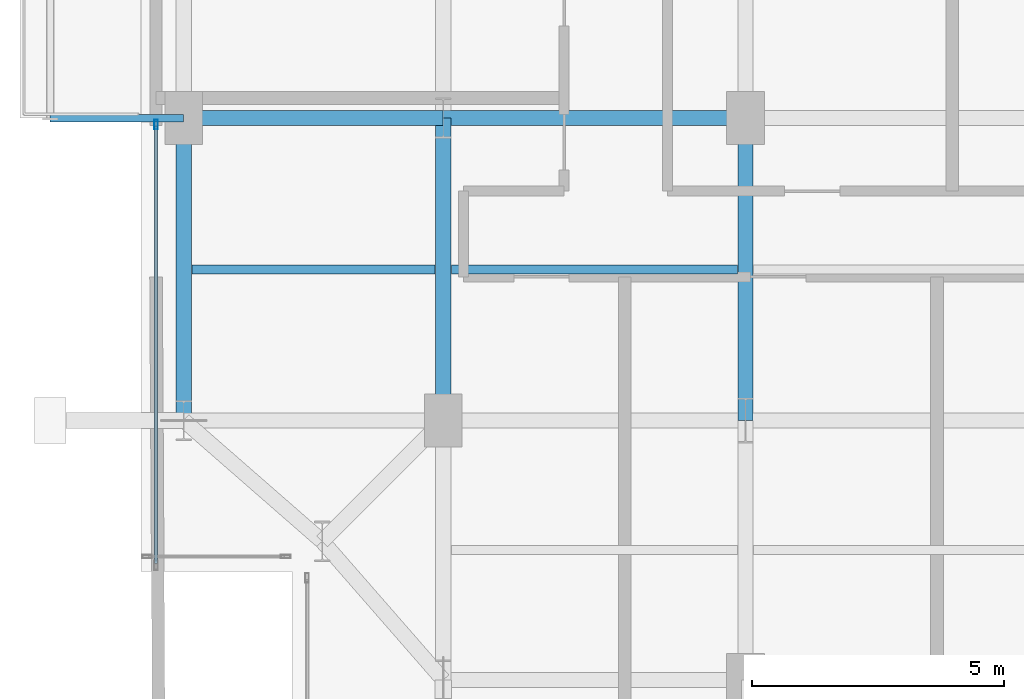
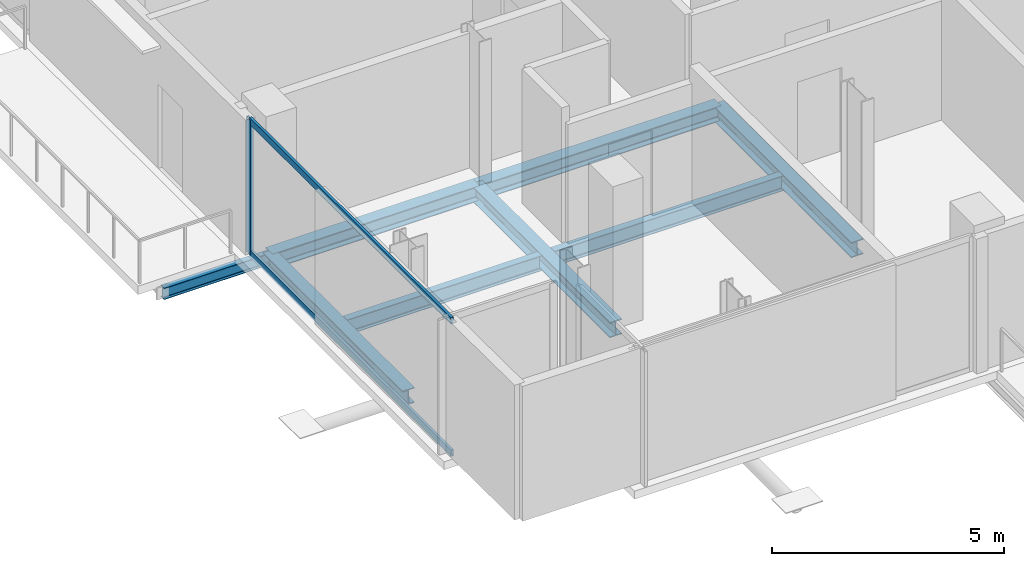
# One storey, part 3 of 21: 8 beams, 3 members, 1 element without a shape of its own.
"""IFC4 building model written with IfcOpenShell, lengths in metres."""

import ifcopenshell
import ifcopenshell.guid

model = None  # the IFC model being written
_history = None  # IfcOwnerHistory: only IFC2X3 demands one
_inside = {}  # id of a spatial element -> (the spatial element, [elements in it])
_under = {}  # id of a project, library or spatial element -> (it, [spatial elements below it])
_declared = {}  # id of a project -> (the project, [libraries it declares])
_typed = {}  # id of a type object -> (the type object, [elements of that type])
_made_of = {}  # id of a material, layer set ... -> (it, [elements and type objects made of it])


def new_model(schema):
    """Start an empty IFC model of exactly this schema.

    Asked for "IFC4X3", IfcOpenShell would pick the latest addendum, in which some entities
    have other attributes; the version numbers below select the first issue.
    IFC2X3 requires an IfcOwnerHistory on every rooted entity: one is made here for all.
    """
    global model, _history
    if schema == "IFC4X3":
        model = ifcopenshell.file(schema_version=(4, 3, 0, 0))
    else:
        model = ifcopenshell.file(schema=schema)
    _inside.clear()
    _under.clear()
    _declared.clear()
    _typed.clear()
    _made_of.clear()
    _history = None
    if model.schema == "IFC2X3":
        org = make("IfcOrganization", Name="unknown")
        user = make(
            "IfcPersonAndOrganization",
            ThePerson=make("IfcPerson", FamilyName="unknown"),
            TheOrganization=org,
        )
        app = make(
            "IfcApplication",
            ApplicationDeveloper=org,
            Version="unknown",
            ApplicationFullName="unknown",
            ApplicationIdentifier="unknown",
        )
        _history = make(
            "IfcOwnerHistory",
            OwningUser=user,
            OwningApplication=app,
            ChangeAction="ADDED",
            CreationDate=0,
        )
    return model


def make(cls, **values):
    """One entity of the class cls with the attributes given. An attribute that is None is left unset."""
    return model.create_entity(
        cls, **{name: value for name, value in values.items() if value is not None}
    )


def rooted(cls, **values):
    """An entity with a GlobalId (a new one), such as an element, a storey or a relation."""
    return make(cls, GlobalId=ifcopenshell.guid.new(), OwnerHistory=_history, **values)


def si_unit(unit_type, name, prefix=None):
    """IfcSIUnit, for example si_unit("LENGTHUNIT", "METRE", prefix="MILLI")."""
    return make("IfcSIUnit", UnitType=unit_type, Prefix=prefix, Name=name)


def assignment(units):
    """IfcUnitAssignment: the units of a project."""
    return None if units is None else make("IfcUnitAssignment", Units=units)


def point(xyz):
    """IfcCartesianPoint."""
    return None if xyz is None else make("IfcCartesianPoint", Coordinates=xyz)


def direction(xyz):
    """IfcDirection."""
    return None if xyz is None else make("IfcDirection", DirectionRatios=xyz)


def frame(location, z_axis=None, x_axis=None):
    """IfcAxis2Placement3D, a coordinate frame: its origin and axes. An axis left out is left unset."""
    return make(
        "IfcAxis2Placement3D",
        Location=point(location),
        Axis=direction(z_axis),
        RefDirection=direction(x_axis),
    )


def frame_2d(location, x_axis=None):
    """IfcAxis2Placement2D, a coordinate frame in the plane: its origin and x axis."""
    return make(
        "IfcAxis2Placement2D", Location=point(location), RefDirection=direction(x_axis)
    )


def origin():
    """The frame at (0, 0, 0) with its axes left unset."""
    return frame((0.0, 0.0, 0.0))


def origin_2d():
    """The frame at (0, 0) in the plane with its x axis left unset."""
    return frame_2d((0.0, 0.0))


def place(relative_to, where):
    """IfcLocalPlacement: puts the frame where relative to a parent placement (None: the world)."""
    return make(
        "IfcLocalPlacement", PlacementRelTo=relative_to, RelativePlacement=where
    )


def context(
    kind, dimensions, precision=None, world=None, true_north=None, identifier=None
):
    """IfcGeometricRepresentationContext, for example the 3D "Model" context."""
    return make(
        "IfcGeometricRepresentationContext",
        ContextIdentifier=identifier,
        ContextType=kind,
        CoordinateSpaceDimension=dimensions,
        Precision=precision,
        WorldCoordinateSystem=world,
        TrueNorth=true_north,
    )


def subcontext(parent, identifier, kind, view, scale=None):
    """IfcGeometricRepresentationSubContext, for example "Body" below "Model"."""
    return make(
        "IfcGeometricRepresentationSubContext",
        ContextIdentifier=identifier,
        ContextType=kind,
        ParentContext=parent,
        TargetScale=scale,
        TargetView=view,
    )


def project(units=None, contexts=None):
    """IfcProject with its units and contexts."""
    return rooted(
        "IfcProject",
        Name="project",
        RepresentationContexts=contexts,
        UnitsInContext=assignment(units),
    )


def spatial(cls, under=None, at=None, **own):
    """A site, building, storey or space (cls), placed at a placement, below another one or the project."""
    s = rooted(cls, ObjectPlacement=at, **own)
    if under is not None:
        _under.setdefault(under.id(), (under, []))[1].append(s)
    return s


def profile(cls, at=None, kind="AREA", **sizes):
    """A parametric profile (cls). Its sizes go by their IFC names, for example OverallWidth=200.0."""
    return make(cls, ProfileType=kind, Position=at, **sizes)


def hollow_rectangle(**sizes):
    """IfcRectangleHollowProfileDef."""
    return profile("IfcRectangleHollowProfileDef", **sizes)


def i_section(**sizes):
    """IfcIShapeProfileDef."""
    return profile("IfcIShapeProfileDef", **sizes)


def extrude(swept, where, along, depth):
    """IfcExtrudedAreaSolid: the profile swept, set in the frame where, extruded along a direction by depth."""
    return make(
        "IfcExtrudedAreaSolid",
        SweptArea=swept,
        Position=where,
        ExtrudedDirection=direction(along),
        Depth=depth,
    )


def shape(context_of_items, identifier, shape_type, items):
    """IfcShapeRepresentation: the items that make up one representation, for example the "Body"."""
    return make(
        "IfcShapeRepresentation",
        ContextOfItems=context_of_items,
        RepresentationIdentifier=identifier,
        RepresentationType=shape_type,
        Items=items,
    )


def material(Name=None, Category=None):
    """IfcMaterial."""
    return make("IfcMaterial", Name=Name, Category=Category)


def layer(
    of_material, thickness, ventilated=None, Name=None, Category=None, Priority=None
):
    """IfcMaterialLayer: one layer of a wall or slab, of a material (None: an air gap)."""
    return make(
        "IfcMaterialLayer",
        Material=of_material,
        LayerThickness=thickness,
        IsVentilated=ventilated,
        Name=Name,
        Category=Category,
        Priority=Priority,
    )


def layer_set(layers, Name=None):
    """IfcMaterialLayerSet."""
    return make("IfcMaterialLayerSet", MaterialLayers=layers, LayerSetName=Name)


def material_profile(
    of_material, cross_section, Name=None, Category=None, Priority=None
):
    """IfcMaterialProfile: a cross section and its material."""
    return make(
        "IfcMaterialProfile",
        Name=Name,
        Material=of_material,
        Profile=cross_section,
        Priority=Priority,
        Category=Category,
    )


def profile_set(profiles, Name=None, composite=None):
    """IfcMaterialProfileSet."""
    return make(
        "IfcMaterialProfileSet",
        Name=Name,
        MaterialProfiles=profiles,
        CompositeProfile=composite,
    )


def made_of(thing, what):
    """Note that an element or type object is made of a material, layer set ...; save() writes the relation."""
    if what is not None:
        _made_of.setdefault(what.id(), (what, []))[1].append(thing)
    return thing


def type_object(cls, material=None, **own):
    """A type object (cls), such as IfcWallType, which elements share."""
    return made_of(rooted(cls, **own), material)


def element(
    cls,
    number,
    at=None,
    inside=None,
    cuts=None,
    type_object=None,
    material=None,
    context=None,
    identifier="Body",
    shape_type=None,
    held_by="IfcProductDefinitionShape",
    body=None,
    shapes=None,
    **own,
):
    """One element of the class cls, such as IfcWall. Its Tag is "e" and its number.

    at: its placement. inside: the storey or other place that contains it. cuts: it is an
    opening in that element (IfcRelVoidsElement). A single representation is given by context,
    identifier, shape_type and body (its items); several are given by shapes. held_by: the class
    of the entity that holds the representations. save() writes the other relations.
    """
    e = rooted(cls, Tag="e%d" % number, ObjectPlacement=at, **own)
    if body is not None:
        shapes = [shape(context, identifier, shape_type, body)]
    if shapes is not None:
        e.Representation = make(held_by, Representations=shapes)
    if inside is not None:
        _inside.setdefault(inside.id(), (inside, []))[1].append(e)
    if cuts is not None:
        rooted(
            "IfcRelVoidsElement", RelatingBuildingElement=cuts, RelatedOpeningElement=e
        )
    if type_object is not None:
        _typed.setdefault(type_object.id(), (type_object, []))[1].append(e)
    return made_of(e, material)


def aggregate(whole, parts):
    """IfcRelAggregates: a whole, such as a stair, and the parts it consists of."""
    return rooted("IfcRelAggregates", RelatingObject=whole, RelatedObjects=parts)


def save(model, path):
    """Write the relations noted so far, then the file.

    IfcRelAggregates (storeys below a building ...), IfcRelContainedInSpatialStructure (elements
    in a storey), IfcRelDefinesByType, IfcRelAssociatesMaterial and IfcRelDeclares: one each for
    every whole, place, type object, material and project.
    """
    for whole, parts in _under.values():
        aggregate(whole, parts)
    for where, things in _inside.values():
        rooted(
            "IfcRelContainedInSpatialStructure",
            RelatedElements=things,
            RelatingStructure=where,
        )
    for kind, things in _typed.values():
        rooted("IfcRelDefinesByType", RelatedObjects=things, RelatingType=kind)
    for what, things in _made_of.values():
        rooted("IfcRelAssociatesMaterial", RelatedObjects=things, RelatingMaterial=what)
    for by, libraries in _declared.values():
        rooted("IfcRelDeclares", RelatingContext=by, RelatedDefinitions=libraries)
    model.write(path)


model = new_model("IFC4")

# Units and contexts
model_context = context("Model", 3, precision=1e-05, world=origin(), true_north=direction((0.0, 1.0)))
body_context = subcontext(model_context, "Body", "Model", "MODEL_VIEW")
ifc_project = project(units=[si_unit("LENGTHUNIT", "METRE"), si_unit("AREAUNIT", "SQUARE_METRE"), si_unit("VOLUMEUNIT", "CUBIC_METRE"), si_unit("PLANEANGLEUNIT", "RADIAN"), si_unit("MASSUNIT", "GRAM", prefix="KILO"), si_unit("THERMODYNAMICTEMPERATUREUNIT", "KELVIN"), si_unit("POWERUNIT", "WATT")], contexts=[model_context])

# Site, building, storey
site_placement = place(None, origin())
site = spatial("IfcSite", under=ifc_project, at=site_placement, CompositionType="ELEMENT")
building_placement = place(site_placement, origin())
building = spatial("IfcBuilding", under=site, at=building_placement, Name="Svarakhadi Broadcast Tower", CompositionType="ELEMENT")
storey_placement = place(building_placement, frame((0.0, 0.0, 187.949951171875)))
storey = spatial("IfcBuildingStorey", under=building, at=storey_placement, Name="L46", CompositionType="ELEMENT", Elevation=187.949951171875)

# Beams
ifc_material_1 = material(Name="Steel S355J2 (IS 2062 E350C)", Category="steel")
ifc_material_profile_1 = material_profile(ifc_material_1, i_section(OverallWidth=0.179931640625, OverallDepth=0.39990234375, WebThickness=0.008544921875, FlangeThickness=0.013427734375, FilletRadius=0.02099609375, at=origin_2d()), Name="NPB 400x180x66")
ifc_profile_set_1 = profile_set([ifc_material_profile_1], Name="Steel S355J2 (IS 2062 E350C)")
beam_type_1 = type_object("IfcBeamType", Name="Beam_NPB400", PredefinedType="BEAM", material=ifc_profile_set_1)
beam_1_placement = place(storey_placement, frame((1.010009765625, 9.0, -0.409912109375), z_axis=(1.0, 0.0, 0.0), x_axis=(0.0, 1.0, 0.0)))
element("IfcBeam", 1, at=beam_1_placement, inside=storey, type_object=beam_type_1, Name="L46 Secondary Composite Beam SB001", PredefinedType="BEAM", context=body_context, shape_type="SweptSolid", body=[
    extrude(i_section(OverallWidth=0.179931640625, OverallDepth=0.39990234375, WebThickness=0.008544921875, FlangeThickness=0.013427734375, FilletRadius=0.02099609375, at=origin_2d()), origin(), (0.0, 0.0, 1.0), 4.830078125),
])
beam_2_placement = place(storey_placement, frame((6.159912109375, 9.0, -0.409912109375), z_axis=(1.0, 0.0, 0.0), x_axis=(0.0, 1.0, 0.0)))
element("IfcBeam", 2, at=beam_2_placement, inside=storey, type_object=beam_type_1, Name="L46 Secondary Composite Beam SB006", PredefinedType="BEAM", context=body_context, shape_type="SweptSolid", body=[
    extrude(i_section(OverallWidth=0.179931640625, OverallDepth=0.39990234375, WebThickness=0.008544921875, FlangeThickness=0.013427734375, FilletRadius=0.02099609375, at=origin_2d()), origin(), (0.0, 0.0, 1.0), 5.68017578125),
])

# Curtain wall, members
ifc_material_2 = material(Name="Anodised Bronze Aluminium AA 6063-T6", Category="aluminium")
ifc_layer = layer(ifc_material_2, 0.18994140625)
ifc_layer_set = layer_set([ifc_layer], Name="Anodised Bronze Aluminium AA 6063-T6")
curtain_wall_type = type_object("IfcCurtainWallType", Name="CW_Sys_04", PredefinedType="NOTDEFINED", material=ifc_layer_set)
curtain_wall_placement = place(storey_placement, origin())
curtain_wall = element("IfcCurtainWall", 3, at=curtain_wall_placement, inside=storey, type_object=curtain_wall_type, Name="L46 West Curtain Wall 02", PredefinedType="NOTDEFINED")
ifc_material_profile_2 = material_profile(ifc_material_2, hollow_rectangle(XDim=0.070068359375, YDim=0.18994140625, WallThickness=0.005615234375, at=origin_2d()), Name="ALU MULLION 190x70x6")
ifc_profile_set_2 = profile_set([ifc_material_profile_2], Name="Anodised Bronze Aluminium AA 6063-T6")
member_type_1 = type_object("IfcMemberType", Name="CW_Sys_04_Mul", PredefinedType="MULLION", material=ifc_profile_set_2)
member_1_placement = place(storey_placement, frame((0.300048828125, 11.875, 0.0), z_axis=(0.0, 0.0, 1.0), x_axis=(-1.0, 0.0, 0.0)))
member_1 = element("IfcMember", 4, at=member_1_placement, type_object=member_type_1, Name="CW-04 mullion 2", PredefinedType="MULLION", context=body_context, shape_type="SweptSolid", body=[
    extrude(hollow_rectangle(XDim=0.070068359375, YDim=0.18994140625, WallThickness=0.005615234375, at=origin_2d()), origin(), (0.0, 0.0, 1.0), 3.5400390625),
])
ifc_material_profile_3 = material_profile(ifc_material_2, hollow_rectangle(XDim=0.06494140625, YDim=0.175048828125, WallThickness=0.0048828125, at=origin_2d()), Name="ALU TRANSOM 175x65x5")
ifc_profile_set_3 = profile_set([ifc_material_profile_3], Name="Anodised Bronze Aluminium AA 6063-T6")
member_type_2 = type_object("IfcMemberType", Name="CW_Sys_04_Trn", PredefinedType="USERDEFINED", material=ifc_profile_set_3)
member_2_placement = place(storey_placement, frame((0.300048828125, 3.159912109375, 0.032470703125), z_axis=(0.0, 1.0, 0.0), x_axis=(-1.0, 0.0, 0.0)))
member_2 = element("IfcMember", 5, at=member_2_placement, type_object=member_type_2, Name="CW-04 transom 1.1", ObjectType="TRANSOM", PredefinedType="USERDEFINED", context=body_context, shape_type="SweptSolid", body=[
    extrude(hollow_rectangle(XDim=0.06494140625, YDim=0.175048828125, WallThickness=0.0048828125, at=origin_2d()), origin(), (0.0, 0.0, 1.0), 8.68017578125),
])
member_3_placement = place(storey_placement, frame((0.300048828125, 3.159912109375, 3.507568359375), z_axis=(0.0, 1.0, 0.0), x_axis=(-1.0, 0.0, 0.0)))
member_3 = element("IfcMember", 6, at=member_3_placement, type_object=member_type_2, Name="CW-04 transom 1.2", ObjectType="TRANSOM", PredefinedType="USERDEFINED", context=body_context, shape_type="SweptSolid", body=[
    extrude(hollow_rectangle(XDim=0.06494140625, YDim=0.175048828125, WallThickness=0.0048828125, at=origin_2d()), origin(), (0.0, 0.0, 1.0), 8.68017578125),
])
aggregate(curtain_wall, [member_1, member_2, member_3])

# Beams
ifc_material_profile_4 = material_profile(ifc_material_1, i_section(OverallWidth=0.300048828125, OverallDepth=0.39990234375, WebThickness=0.013427734375, FlangeThickness=0.02392578125, FilletRadius=0.027099609375, at=origin_2d()), Name="WPB 400x300x155")
ifc_profile_set_4 = profile_set([ifc_material_profile_4], Name="Steel S355J2 (IS 2062 E350C)")
beam_type_2 = type_object("IfcBeamType", Name="Girder_WPB400", PredefinedType="USERDEFINED", material=ifc_profile_set_4)
beam_3_placement = place(storey_placement, frame((0.85009765625, 12.0, -0.409912109375), z_axis=(1.0, 0.0, 0.0), x_axis=(0.0, 1.0, 0.0)))
element("IfcBeam", 7, at=beam_3_placement, inside=storey, type_object=beam_type_2, Name="L46 Primary E-W Girder G015", ObjectType="GIRDER", PredefinedType="USERDEFINED", context=body_context, shape_type="SweptSolid", body=[
    extrude(i_section(OverallWidth=0.300048828125, OverallDepth=0.39990234375, WebThickness=0.013427734375, FlangeThickness=0.02392578125, FilletRadius=0.027099609375, at=origin_2d()), origin(), (0.0, 0.0, 1.0), 5.14990234375),
])
for number, where, z_axis, x_axis, name in (
    (8, (6.0, 12.0, -0.409912109375), (1.0, 0.0, 0.0), (0.0, 1.0, 0.0), "L46 Primary E-W Girder G016"),
    (9, (0.85009765625, 6.0, -0.409912109375), (0.0, 1.0, 0.0), (-1.0, 0.0, 0.0), "L46 Primary N-S Girder G033"),
    (10, (6.0, 6.0, -0.409912109375), (0.0, 1.0, 0.0), (-1.0, 0.0, 0.0), "L46 Primary N-S Girder G038"),
    (11, (12.0, 6.0, -0.409912109375), (0.0, 1.0, 0.0), (-1.0, 0.0, 0.0), "L46 Primary N-S Girder G043"),
):
    element("IfcBeam", number, at=place(storey_placement, frame(where, z_axis=z_axis, x_axis=x_axis)), inside=storey, type_object=beam_type_2, Name=name, ObjectType="GIRDER", PredefinedType="USERDEFINED", context=body_context, shape_type="SweptSolid", body=[
        extrude(i_section(OverallWidth=0.300048828125, OverallDepth=0.39990234375, WebThickness=0.013427734375, FlangeThickness=0.02392578125, FilletRadius=0.027099609375, at=origin_2d()), origin(), (0.0, 0.0, 1.0), 6.0),
    ])
ifc_material_profile_5 = material_profile(ifc_material_1, i_section(OverallWidth=0.14990234375, OverallDepth=0.300048828125, WebThickness=0.007080078125, FlangeThickness=0.0107421875, FilletRadius=0.014892578125, at=origin_2d()), Name="NPB 300x150x37")
ifc_profile_set_5 = profile_set([ifc_material_profile_5], Name="Steel S355J2 (IS 2062 E350C)")
beam_type_3 = type_object("IfcBeamType", Name="Spandrel_NPB300", PredefinedType="SPANDREL", material=ifc_profile_set_5)
beam_4_placement = place(storey_placement, frame((0.85009765625, 12.0, -0.375), z_axis=(-1.0, 0.0, 0.0), x_axis=(0.0, -1.0, 0.0)))
element("IfcBeam", 12, at=beam_4_placement, inside=storey, type_object=beam_type_3, Name="L46 Balcony Cantilever Bracket 2A", PredefinedType="SPANDREL", context=body_context, shape_type="SweptSolid", body=[
    extrude(i_section(OverallWidth=0.14990234375, OverallDepth=0.300048828125, WebThickness=0.007080078125, FlangeThickness=0.0107421875, FilletRadius=0.014892578125, at=origin_2d()), origin(), (0.0, 0.0, 1.0), 2.650146484375),
])

save(model, "model.ifc")
